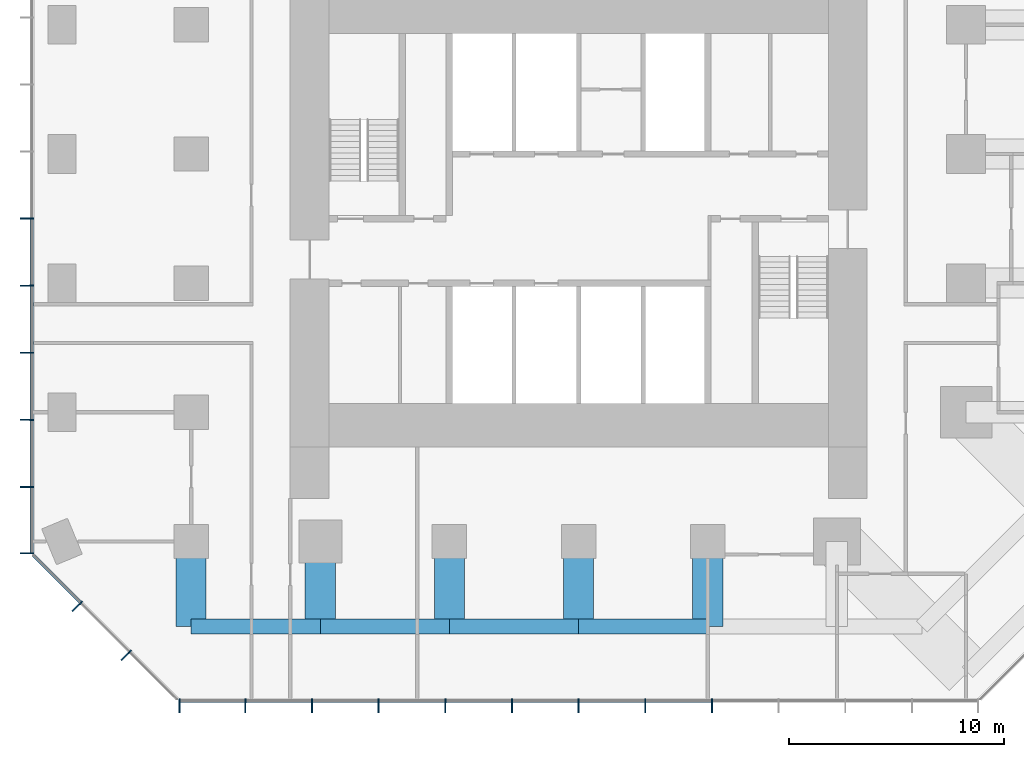
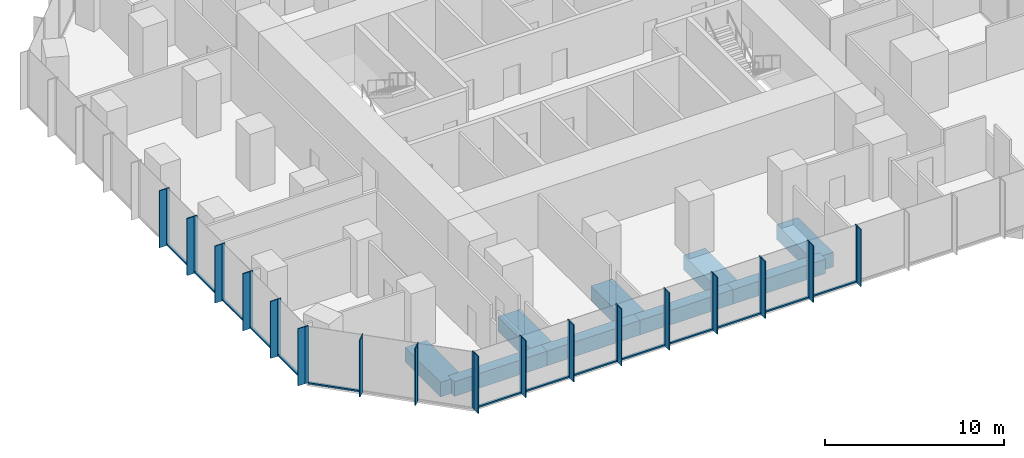
# One storey, part 2 of 11: 48 members, 9 beams, 3 elements without a shape of their own.
"""IFC4 building model written with IfcOpenShell, lengths in metres."""

from ifc_helpers import new_model, si_unit, direction, frame, origin, origin_2d, place, context, subcontext, project, spatial, rectangle, extrude, material, layer, layer_set, material_profile, profile_set, type_object, element, aggregate, save


model = new_model("IFC4")

# Units and contexts
model_context = context("Model", 3, precision=1e-05, world=origin(), true_north=direction((0.0, 1.0)))
body_context = subcontext(model_context, "Body", "Model", "MODEL_VIEW")
ifc_project = project(units=[si_unit("LENGTHUNIT", "METRE"), si_unit("AREAUNIT", "SQUARE_METRE"), si_unit("VOLUMEUNIT", "CUBIC_METRE"), si_unit("PLANEANGLEUNIT", "RADIAN"), si_unit("MASSUNIT", "GRAM", prefix="KILO")], contexts=[model_context])

# Site, building, storey
site_placement = place(None, origin())
site = spatial("IfcSite", under=ifc_project, at=site_placement, CompositionType="ELEMENT")
building_placement = place(site_placement, origin())
building = spatial("IfcBuilding", under=site, at=building_placement, Name="Highveld Stack Headquarters", CompositionType="ELEMENT")
storey_placement = place(building_placement, frame((0.0, 0.0, 152.300048828125)))
storey = spatial("IfcBuildingStorey", under=building, at=storey_placement, Name="L37", CompositionType="ELEMENT", Elevation=152.300048828125)

# Beams
ifc_material_1 = material(Name="Concrete C60/75", Category="concrete")
ifc_material_profile_1 = material_profile(ifc_material_1, rectangle(XDim=1.39990234375, YDim=1.0, at=origin_2d()), Name="RC 1400x1000")
ifc_profile_set_1 = profile_set([ifc_material_profile_1], Name="Concrete C60/75")
beam_type_1 = type_object("IfcBeamType", Name="CANTILEVER RIB RC 1400x1000", PredefinedType="USERDEFINED", material=ifc_profile_set_1)
for number, where, z_axis, x_axis, name in (
    (1, (-12.0, -12.0, -0.75), (0.0, -1.0, 0.0), (1.0, 0.0, 0.0), "Cantilever rib 4/C L37"),
    (2, (-6.0, -12.0, -0.75), (0.0, -1.0, 0.0), (1.0, 0.0, 0.0), "Cantilever rib 5/C L37"),
    (3, (0.0, -12.0, -0.75), (0.0, -1.0, 0.0), (1.0, 0.0, 0.0), "Cantilever rib 6/C L37"),
    (4, (6.0, -12.0, -0.75), (0.0, -1.0, 0.0), (1.0, 0.0, 0.0), "Cantilever rib 7/C L37"),
    (5, (12.0, -12.0, -0.75), (0.0, -1.0, 0.0), (1.0, 0.0, 0.0), "Cantilever rib 8/C L37"),
):
    element("IfcBeam", number, at=place(storey_placement, frame(where, z_axis=z_axis, x_axis=x_axis)), inside=storey, type_object=beam_type_1, Name=name, ObjectType="CANTILEVER RIB", PredefinedType="USERDEFINED", context=body_context, shape_type="SweptSolid", body=[
        extrude(rectangle(XDim=1.39990234375, YDim=1.0, at=origin_2d()), origin(), (0.0, 0.0, 1.0), 3.949951171875),
    ])

# Curtain wall, members
ifc_material_2 = material(Name="Aluminium bronze anodised", Category="aluminium")
ifc_layer_1 = layer(ifc_material_2, 0.199951171875)
ifc_layer_set_1 = layer_set([ifc_layer_1], Name="Aluminium bronze anodised")
curtain_wall_type_1 = type_object("IfcCurtainWallType", Name="CW1 TOWER UNITISED CURTAIN WALL", PredefinedType="NOTDEFINED", material=ifc_layer_set_1)
curtain_wall_1_placement = place(storey_placement, origin())
curtain_wall_1 = element("IfcCurtainWall", 6, at=curtain_wall_1_placement, inside=storey, type_object=curtain_wall_type_1, Name="Curtain wall CW1 L37 S", PredefinedType="NOTDEFINED")
ifc_material_3 = material(Name="Aluminium bronze anodised", Category="aluminium")
ifc_material_profile_2 = material_profile(ifc_material_3, rectangle(XDim=0.449951171875, YDim=0.06005859375, at=origin_2d()), Name="FIN 450x60")
ifc_profile_set_2 = profile_set([ifc_material_profile_2], Name="Aluminium bronze anodised")
member_type_1 = type_object("IfcMemberType", Name="CW1 BRONZE FIN 450x60", PredefinedType="USERDEFINED", material=ifc_profile_set_2)
member_1_placement = place(storey_placement, frame((-12.54736328125, -19.72509765625, 0.0), z_axis=(0.0, 0.0, 1.0), x_axis=(0.0, 1.0, 0.0)))
member_1 = element("IfcMember", 7, at=member_1_placement, type_object=member_type_1, Name="CW1 fin L37 1", ObjectType="FIN", PredefinedType="USERDEFINED", context=body_context, shape_type="SweptSolid", body=[
    extrude(rectangle(XDim=0.449951171875, YDim=0.06005859375, at=origin_2d()), origin(), (0.0, 0.0, 1.0), 3.89990234375),
])
member_2_placement = place(storey_placement, frame((-9.483154296875, -19.72509765625, 0.0), z_axis=(0.0, 0.0, 1.0), x_axis=(0.0, 1.0, 0.0)))
member_2 = element("IfcMember", 8, at=member_2_placement, type_object=member_type_1, Name="CW1 fin L37 2", ObjectType="FIN", PredefinedType="USERDEFINED", context=body_context, shape_type="SweptSolid", body=[
    extrude(rectangle(XDim=0.449951171875, YDim=0.06005859375, at=origin_2d()), origin(), (0.0, 0.0, 1.0), 3.89990234375),
])
member_3_placement = place(storey_placement, frame((-6.38671875, -19.72509765625, 0.0), z_axis=(0.0, 0.0, 1.0), x_axis=(0.0, 1.0, 0.0)))
member_3 = element("IfcMember", 9, at=member_3_placement, type_object=member_type_1, Name="CW1 fin L37 3", ObjectType="FIN", PredefinedType="USERDEFINED", context=body_context, shape_type="SweptSolid", body=[
    extrude(rectangle(XDim=0.449951171875, YDim=0.06005859375, at=origin_2d()), origin(), (0.0, 0.0, 1.0), 3.89990234375),
])
member_4_placement = place(storey_placement, frame((-3.2900390625, -19.72509765625, 0.0), z_axis=(0.0, 0.0, 1.0), x_axis=(0.0, 1.0, 0.0)))
member_4 = element("IfcMember", 10, at=member_4_placement, type_object=member_type_1, Name="CW1 fin L37 4", ObjectType="FIN", PredefinedType="USERDEFINED", context=body_context, shape_type="SweptSolid", body=[
    extrude(rectangle(XDim=0.449951171875, YDim=0.06005859375, at=origin_2d()), origin(), (0.0, 0.0, 1.0), 3.89990234375),
])
member_5_placement = place(storey_placement, frame((-0.193359375, -19.72509765625, 0.0), z_axis=(0.0, 0.0, 1.0), x_axis=(0.0, 1.0, 0.0)))
member_5 = element("IfcMember", 11, at=member_5_placement, type_object=member_type_1, Name="CW1 fin L37 5", ObjectType="FIN", PredefinedType="USERDEFINED", context=body_context, shape_type="SweptSolid", body=[
    extrude(rectangle(XDim=0.449951171875, YDim=0.06005859375, at=origin_2d()), origin(), (0.0, 0.0, 1.0), 3.89990234375),
])
member_6_placement = place(storey_placement, frame((2.9033203125, -19.72509765625, 0.0), z_axis=(0.0, 0.0, 1.0), x_axis=(0.0, 1.0, 0.0)))
member_6 = element("IfcMember", 12, at=member_6_placement, type_object=member_type_1, Name="CW1 fin L37 6", ObjectType="FIN", PredefinedType="USERDEFINED", context=body_context, shape_type="SweptSolid", body=[
    extrude(rectangle(XDim=0.449951171875, YDim=0.06005859375, at=origin_2d()), origin(), (0.0, 0.0, 1.0), 3.89990234375),
])
member_7_placement = place(storey_placement, frame((6.0, -19.72509765625, 0.0), z_axis=(0.0, 0.0, 1.0), x_axis=(0.0, 1.0, 0.0)))
member_7 = element("IfcMember", 13, at=member_7_placement, type_object=member_type_1, Name="CW1 fin L37 7", ObjectType="FIN", PredefinedType="USERDEFINED", context=body_context, shape_type="SweptSolid", body=[
    extrude(rectangle(XDim=0.449951171875, YDim=0.06005859375, at=origin_2d()), origin(), (0.0, 0.0, 1.0), 3.89990234375),
])
member_8_placement = place(storey_placement, frame((9.0966796875, -19.72509765625, 0.0), z_axis=(0.0, 0.0, 1.0), x_axis=(0.0, 1.0, 0.0)))
member_8 = element("IfcMember", 14, at=member_8_placement, type_object=member_type_1, Name="CW1 fin L37 8", ObjectType="FIN", PredefinedType="USERDEFINED", context=body_context, shape_type="SweptSolid", body=[
    extrude(rectangle(XDim=0.449951171875, YDim=0.06005859375, at=origin_2d()), origin(), (0.0, 0.0, 1.0), 3.89990234375),
])
member_9_placement = place(storey_placement, frame((12.193359375, -19.72509765625, 0.0), z_axis=(0.0, 0.0, 1.0), x_axis=(0.0, 1.0, 0.0)))
member_9 = element("IfcMember", 15, at=member_9_placement, type_object=member_type_1, Name="CW1 fin L37 9", ObjectType="FIN", PredefinedType="USERDEFINED", context=body_context, shape_type="SweptSolid", body=[
    extrude(rectangle(XDim=0.449951171875, YDim=0.06005859375, at=origin_2d()), origin(), (0.0, 0.0, 1.0), 3.89990234375),
])

curtain_wall_2_placement = place(storey_placement, origin())
curtain_wall_2 = element("IfcCurtainWall", 16, at=curtain_wall_2_placement, inside=storey, type_object=curtain_wall_type_1, Name="Curtain wall CW1 L37 W", PredefinedType="NOTDEFINED")
member_10_placement = place(storey_placement, frame((-19.72509765625, 3.0, 0.0), z_axis=(0.0, 0.0, 1.0), x_axis=(1.0, 0.0, 0.0)))
member_10 = element("IfcMember", 17, at=member_10_placement, type_object=member_type_1, Name="CW1 fin L37 6", ObjectType="FIN", PredefinedType="USERDEFINED", context=body_context, shape_type="SweptSolid", body=[
    extrude(rectangle(XDim=0.449951171875, YDim=0.06005859375, at=origin_2d()), origin(), (0.0, 0.0, 1.0), 3.89990234375),
])
member_11_placement = place(storey_placement, frame((-19.72509765625, -0.115966796875, 0.0), z_axis=(0.0, 0.0, 1.0), x_axis=(1.0, 0.0, 0.0)))
member_11 = element("IfcMember", 18, at=member_11_placement, type_object=member_type_1, Name="CW1 fin L37 7", ObjectType="FIN", PredefinedType="USERDEFINED", context=body_context, shape_type="SweptSolid", body=[
    extrude(rectangle(XDim=0.449951171875, YDim=0.06005859375, at=origin_2d()), origin(), (0.0, 0.0, 1.0), 3.89990234375),
])
member_12_placement = place(storey_placement, frame((-19.72509765625, -3.23193359375, 0.0), z_axis=(0.0, 0.0, 1.0), x_axis=(1.0, 0.0, 0.0)))
member_12 = element("IfcMember", 19, at=member_12_placement, type_object=member_type_1, Name="CW1 fin L37 8", ObjectType="FIN", PredefinedType="USERDEFINED", context=body_context, shape_type="SweptSolid", body=[
    extrude(rectangle(XDim=0.449951171875, YDim=0.06005859375, at=origin_2d()), origin(), (0.0, 0.0, 1.0), 3.89990234375),
])
member_13_placement = place(storey_placement, frame((-19.72509765625, -6.347900390625, 0.0), z_axis=(0.0, 0.0, 1.0), x_axis=(1.0, 0.0, 0.0)))
member_13 = element("IfcMember", 20, at=member_13_placement, type_object=member_type_1, Name="CW1 fin L37 9", ObjectType="FIN", PredefinedType="USERDEFINED", context=body_context, shape_type="SweptSolid", body=[
    extrude(rectangle(XDim=0.449951171875, YDim=0.06005859375, at=origin_2d()), origin(), (0.0, 0.0, 1.0), 3.89990234375),
])
member_14_placement = place(storey_placement, frame((-19.72509765625, -9.4638671875, 0.0), z_axis=(0.0, 0.0, 1.0), x_axis=(1.0, 0.0, 0.0)))
member_14 = element("IfcMember", 21, at=member_14_placement, type_object=member_type_1, Name="CW1 fin L37 10", ObjectType="FIN", PredefinedType="USERDEFINED", context=body_context, shape_type="SweptSolid", body=[
    extrude(rectangle(XDim=0.449951171875, YDim=0.06005859375, at=origin_2d()), origin(), (0.0, 0.0, 1.0), 3.89990234375),
])
member_15_placement = place(storey_placement, frame((-19.72509765625, -12.54736328125, 0.0), z_axis=(0.0, 0.0, 1.0), x_axis=(1.0, 0.0, 0.0)))
member_15 = element("IfcMember", 22, at=member_15_placement, type_object=member_type_1, Name="CW1 fin L37 11", ObjectType="FIN", PredefinedType="USERDEFINED", context=body_context, shape_type="SweptSolid", body=[
    extrude(rectangle(XDim=0.449951171875, YDim=0.06005859375, at=origin_2d()), origin(), (0.0, 0.0, 1.0), 3.89990234375),
])

# Member
ifc_material_4 = material(Name="Aluminium bronze anodised", Category="aluminium")
ifc_material_profile_3 = material_profile(ifc_material_4, rectangle(XDim=0.199951171875, YDim=0.06494140625, at=origin_2d()), Name="CW1 MULLION 65x200")
ifc_profile_set_3 = profile_set([ifc_material_profile_3], Name="Aluminium bronze anodised")
member_type_2 = type_object("IfcMemberType", Name="CW1 MULLION 65x200", PredefinedType="MULLION", material=ifc_profile_set_3)
member_16_placement = place(storey_placement, frame((-12.54736328125, -19.39990234375, 0.0), z_axis=(0.0, 0.0, 1.0), x_axis=(0.0, 1.0, 0.0)))
member_16 = element("IfcMember", 23, at=member_16_placement, type_object=member_type_2, Name="CW1 mullion L37 1", PredefinedType="MULLION", context=body_context, shape_type="SweptSolid", body=[
    extrude(rectangle(XDim=0.199951171875, YDim=0.06494140625, at=origin_2d()), origin(), (0.0, 0.0, 1.0), 3.89990234375),
])

member_17_placement = place(storey_placement, frame((-9.483154296875, -19.39990234375, 0.0), z_axis=(0.0, 0.0, 1.0), x_axis=(0.0, 1.0, 0.0)))
member_17 = element("IfcMember", 24, at=member_17_placement, type_object=member_type_2, Name="CW1 mullion L37 2", PredefinedType="MULLION", context=body_context, shape_type="SweptSolid", body=[
    extrude(rectangle(XDim=0.199951171875, YDim=0.06494140625, at=origin_2d()), origin(), (0.0, 0.0, 1.0), 3.89990234375),
])

member_18_placement = place(storey_placement, frame((-6.38671875, -19.39990234375, 0.0), z_axis=(0.0, 0.0, 1.0), x_axis=(0.0, 1.0, 0.0)))
member_18 = element("IfcMember", 25, at=member_18_placement, type_object=member_type_2, Name="CW1 mullion L37 3", PredefinedType="MULLION", context=body_context, shape_type="SweptSolid", body=[
    extrude(rectangle(XDim=0.199951171875, YDim=0.06494140625, at=origin_2d()), origin(), (0.0, 0.0, 1.0), 3.89990234375),
])

member_19_placement = place(storey_placement, frame((-3.2900390625, -19.39990234375, 0.0), z_axis=(0.0, 0.0, 1.0), x_axis=(0.0, 1.0, 0.0)))
member_19 = element("IfcMember", 26, at=member_19_placement, type_object=member_type_2, Name="CW1 mullion L37 4", PredefinedType="MULLION", context=body_context, shape_type="SweptSolid", body=[
    extrude(rectangle(XDim=0.199951171875, YDim=0.06494140625, at=origin_2d()), origin(), (0.0, 0.0, 1.0), 3.89990234375),
])

member_20_placement = place(storey_placement, frame((-0.193359375, -19.39990234375, 0.0), z_axis=(0.0, 0.0, 1.0), x_axis=(0.0, 1.0, 0.0)))
member_20 = element("IfcMember", 27, at=member_20_placement, type_object=member_type_2, Name="CW1 mullion L37 5", PredefinedType="MULLION", context=body_context, shape_type="SweptSolid", body=[
    extrude(rectangle(XDim=0.199951171875, YDim=0.06494140625, at=origin_2d()), origin(), (0.0, 0.0, 1.0), 3.89990234375),
])

member_21_placement = place(storey_placement, frame((2.9033203125, -19.39990234375, 0.0), z_axis=(0.0, 0.0, 1.0), x_axis=(0.0, 1.0, 0.0)))
member_21 = element("IfcMember", 28, at=member_21_placement, type_object=member_type_2, Name="CW1 mullion L37 6", PredefinedType="MULLION", context=body_context, shape_type="SweptSolid", body=[
    extrude(rectangle(XDim=0.199951171875, YDim=0.06494140625, at=origin_2d()), origin(), (0.0, 0.0, 1.0), 3.89990234375),
])

member_22_placement = place(storey_placement, frame((6.0, -19.39990234375, 0.0), z_axis=(0.0, 0.0, 1.0), x_axis=(0.0, 1.0, 0.0)))
member_22 = element("IfcMember", 29, at=member_22_placement, type_object=member_type_2, Name="CW1 mullion L37 7", PredefinedType="MULLION", context=body_context, shape_type="SweptSolid", body=[
    extrude(rectangle(XDim=0.199951171875, YDim=0.06494140625, at=origin_2d()), origin(), (0.0, 0.0, 1.0), 3.89990234375),
])

member_23_placement = place(storey_placement, frame((9.0966796875, -19.39990234375, 0.0), z_axis=(0.0, 0.0, 1.0), x_axis=(0.0, 1.0, 0.0)))
member_23 = element("IfcMember", 30, at=member_23_placement, type_object=member_type_2, Name="CW1 mullion L37 8", PredefinedType="MULLION", context=body_context, shape_type="SweptSolid", body=[
    extrude(rectangle(XDim=0.199951171875, YDim=0.06494140625, at=origin_2d()), origin(), (0.0, 0.0, 1.0), 3.89990234375),
])

member_24_placement = place(storey_placement, frame((12.193359375, -19.39990234375, 0.0), z_axis=(0.0, 0.0, 1.0), x_axis=(0.0, 1.0, 0.0)))
member_24 = element("IfcMember", 31, at=member_24_placement, type_object=member_type_2, Name="CW1 mullion L37 9", PredefinedType="MULLION", context=body_context, shape_type="SweptSolid", body=[
    extrude(rectangle(XDim=0.199951171875, YDim=0.06494140625, at=origin_2d()), origin(), (0.0, 0.0, 1.0), 3.89990234375),
])

member_25_placement = place(storey_placement, frame((-19.39990234375, 3.0, 0.0), z_axis=(0.0, 0.0, 1.0), x_axis=(1.0, 0.0, 0.0)))
member_25 = element("IfcMember", 32, at=member_25_placement, type_object=member_type_2, Name="CW1 mullion L37 6", PredefinedType="MULLION", context=body_context, shape_type="SweptSolid", body=[
    extrude(rectangle(XDim=0.199951171875, YDim=0.06494140625, at=origin_2d()), origin(), (0.0, 0.0, 1.0), 3.89990234375),
])

member_26_placement = place(storey_placement, frame((-19.39990234375, -0.115966796875, 0.0), z_axis=(0.0, 0.0, 1.0), x_axis=(1.0, 0.0, 0.0)))
member_26 = element("IfcMember", 33, at=member_26_placement, type_object=member_type_2, Name="CW1 mullion L37 7", PredefinedType="MULLION", context=body_context, shape_type="SweptSolid", body=[
    extrude(rectangle(XDim=0.199951171875, YDim=0.06494140625, at=origin_2d()), origin(), (0.0, 0.0, 1.0), 3.89990234375),
])

member_27_placement = place(storey_placement, frame((-19.39990234375, -3.23193359375, 0.0), z_axis=(0.0, 0.0, 1.0), x_axis=(1.0, 0.0, 0.0)))
member_27 = element("IfcMember", 34, at=member_27_placement, type_object=member_type_2, Name="CW1 mullion L37 8", PredefinedType="MULLION", context=body_context, shape_type="SweptSolid", body=[
    extrude(rectangle(XDim=0.199951171875, YDim=0.06494140625, at=origin_2d()), origin(), (0.0, 0.0, 1.0), 3.89990234375),
])

member_28_placement = place(storey_placement, frame((-19.39990234375, -6.347900390625, 0.0), z_axis=(0.0, 0.0, 1.0), x_axis=(1.0, 0.0, 0.0)))
member_28 = element("IfcMember", 35, at=member_28_placement, type_object=member_type_2, Name="CW1 mullion L37 9", PredefinedType="MULLION", context=body_context, shape_type="SweptSolid", body=[
    extrude(rectangle(XDim=0.199951171875, YDim=0.06494140625, at=origin_2d()), origin(), (0.0, 0.0, 1.0), 3.89990234375),
])

member_29_placement = place(storey_placement, frame((-19.39990234375, -9.4638671875, 0.0), z_axis=(0.0, 0.0, 1.0), x_axis=(1.0, 0.0, 0.0)))
member_29 = element("IfcMember", 36, at=member_29_placement, type_object=member_type_2, Name="CW1 mullion L37 10", PredefinedType="MULLION", context=body_context, shape_type="SweptSolid", body=[
    extrude(rectangle(XDim=0.199951171875, YDim=0.06494140625, at=origin_2d()), origin(), (0.0, 0.0, 1.0), 3.89990234375),
])

member_30_placement = place(storey_placement, frame((-19.39990234375, -12.54736328125, 0.0), z_axis=(0.0, 0.0, 1.0), x_axis=(1.0, 0.0, 0.0)))
member_30 = element("IfcMember", 37, at=member_30_placement, type_object=member_type_2, Name="CW1 mullion L37 11", PredefinedType="MULLION", context=body_context, shape_type="SweptSolid", body=[
    extrude(rectangle(XDim=0.199951171875, YDim=0.06494140625, at=origin_2d()), origin(), (0.0, 0.0, 1.0), 3.89990234375),
])

ifc_material_5 = material(Name="Aluminium bronze anodised", Category="aluminium")
ifc_material_profile_4 = material_profile(ifc_material_5, rectangle(XDim=0.14990234375, YDim=0.10009765625, at=origin_2d()), Name="CW1 TRANSOM 150x100")
ifc_profile_set_4 = profile_set([ifc_material_profile_4], Name="Aluminium bronze anodised")
member_type_3 = type_object("IfcMemberType", Name="CW1 STACK TRANSOM 150x100", PredefinedType="USERDEFINED", material=ifc_profile_set_4)
member_31_placement = place(storey_placement, frame((-12.514892578125, -19.39990234375, 0.050048828125), z_axis=(1.0, 0.0, 0.0), x_axis=(0.0, 1.0, 0.0)))
member_31 = element("IfcMember", 38, at=member_31_placement, type_object=member_type_3, Name="CW1 transom L37 1.1", ObjectType="TRANSOM", PredefinedType="USERDEFINED", context=body_context, shape_type="SweptSolid", body=[
    extrude(rectangle(XDim=0.14990234375, YDim=0.10009765625, at=origin_2d()), origin(), (0.0, 0.0, 1.0), 2.9990234375),
])

member_32_placement = place(storey_placement, frame((-9.45068359375, -19.39990234375, 0.050048828125), z_axis=(1.0, 0.0, 0.0), x_axis=(0.0, 1.0, 0.0)))
member_32 = element("IfcMember", 39, at=member_32_placement, type_object=member_type_3, Name="CW1 transom L37 2.1", ObjectType="TRANSOM", PredefinedType="USERDEFINED", context=body_context, shape_type="SweptSolid", body=[
    extrude(rectangle(XDim=0.14990234375, YDim=0.10009765625, at=origin_2d()), origin(), (0.0, 0.0, 1.0), 3.031494140625),
])

member_33_placement = place(storey_placement, frame((-6.35400390625, -19.39990234375, 0.050048828125), z_axis=(1.0, 0.0, 0.0), x_axis=(0.0, 1.0, 0.0)))
member_33 = element("IfcMember", 40, at=member_33_placement, type_object=member_type_3, Name="CW1 transom L37 3.1", ObjectType="TRANSOM", PredefinedType="USERDEFINED", context=body_context, shape_type="SweptSolid", body=[
    extrude(rectangle(XDim=0.14990234375, YDim=0.10009765625, at=origin_2d()), origin(), (0.0, 0.0, 1.0), 3.031494140625),
])

member_34_placement = place(storey_placement, frame((-3.257568359375, -19.39990234375, 0.050048828125), z_axis=(1.0, 0.0, 0.0), x_axis=(0.0, 1.0, 0.0)))
member_34 = element("IfcMember", 41, at=member_34_placement, type_object=member_type_3, Name="CW1 transom L37 4.1", ObjectType="TRANSOM", PredefinedType="USERDEFINED", context=body_context, shape_type="SweptSolid", body=[
    extrude(rectangle(XDim=0.14990234375, YDim=0.10009765625, at=origin_2d()), origin(), (0.0, 0.0, 1.0), 3.03173828125),
])

member_35_placement = place(storey_placement, frame((-0.160888671875, -19.39990234375, 0.050048828125), z_axis=(1.0, 0.0, 0.0), x_axis=(0.0, 1.0, 0.0)))
member_35 = element("IfcMember", 42, at=member_35_placement, type_object=member_type_3, Name="CW1 transom L37 5.1", ObjectType="TRANSOM", PredefinedType="USERDEFINED", context=body_context, shape_type="SweptSolid", body=[
    extrude(rectangle(XDim=0.14990234375, YDim=0.10009765625, at=origin_2d()), origin(), (0.0, 0.0, 1.0), 3.03173828125),
])

member_36_placement = place(storey_placement, frame((2.935791015625, -19.39990234375, 0.050048828125), z_axis=(1.0, 0.0, 0.0), x_axis=(0.0, 1.0, 0.0)))
member_36 = element("IfcMember", 43, at=member_36_placement, type_object=member_type_3, Name="CW1 transom L37 6.1", ObjectType="TRANSOM", PredefinedType="USERDEFINED", context=body_context, shape_type="SweptSolid", body=[
    extrude(rectangle(XDim=0.14990234375, YDim=0.10009765625, at=origin_2d()), origin(), (0.0, 0.0, 1.0), 3.03173828125),
])

member_37_placement = place(storey_placement, frame((6.032470703125, -19.39990234375, 0.050048828125), z_axis=(1.0, 0.0, 0.0), x_axis=(0.0, 1.0, 0.0)))
member_37 = element("IfcMember", 44, at=member_37_placement, type_object=member_type_3, Name="CW1 transom L37 7.1", ObjectType="TRANSOM", PredefinedType="USERDEFINED", context=body_context, shape_type="SweptSolid", body=[
    extrude(rectangle(XDim=0.14990234375, YDim=0.10009765625, at=origin_2d()), origin(), (0.0, 0.0, 1.0), 3.03173828125),
])

member_38_placement = place(storey_placement, frame((9.129150390625, -19.39990234375, 0.050048828125), z_axis=(1.0, 0.0, 0.0), x_axis=(0.0, 1.0, 0.0)))
member_38 = element("IfcMember", 45, at=member_38_placement, type_object=member_type_3, Name="CW1 transom L37 8.1", ObjectType="TRANSOM", PredefinedType="USERDEFINED", context=body_context, shape_type="SweptSolid", body=[
    extrude(rectangle(XDim=0.14990234375, YDim=0.10009765625, at=origin_2d()), origin(), (0.0, 0.0, 1.0), 3.03173828125),
])

aggregate(curtain_wall_1, [member_16, member_1, member_17, member_2, member_18, member_3, member_19, member_4, member_20, member_5, member_21, member_6, member_22, member_7, member_23, member_8, member_24, member_9, member_31, member_32, member_33, member_34, member_35, member_36, member_37, member_38])

member_39_placement = place(storey_placement, frame((-19.39990234375, 2.967529296875, 0.050048828125), z_axis=(0.0, -1.0, 0.0), x_axis=(1.0, 0.0, 0.0)))
member_39 = element("IfcMember", 46, at=member_39_placement, type_object=member_type_3, Name="CW1 transom L37 6.1", ObjectType="TRANSOM", PredefinedType="USERDEFINED", context=body_context, shape_type="SweptSolid", body=[
    extrude(rectangle(XDim=0.14990234375, YDim=0.10009765625, at=origin_2d()), origin(), (0.0, 0.0, 1.0), 3.051025390625),
])

member_40_placement = place(storey_placement, frame((-19.39990234375, -0.1484375, 0.050048828125), z_axis=(0.0, -1.0, 0.0), x_axis=(1.0, 0.0, 0.0)))
member_40 = element("IfcMember", 47, at=member_40_placement, type_object=member_type_3, Name="CW1 transom L37 7.1", ObjectType="TRANSOM", PredefinedType="USERDEFINED", context=body_context, shape_type="SweptSolid", body=[
    extrude(rectangle(XDim=0.14990234375, YDim=0.10009765625, at=origin_2d()), origin(), (0.0, 0.0, 1.0), 3.051025390625),
])

member_41_placement = place(storey_placement, frame((-19.39990234375, -3.264404296875, 0.050048828125), z_axis=(0.0, -1.0, 0.0), x_axis=(1.0, 0.0, 0.0)))
member_41 = element("IfcMember", 48, at=member_41_placement, type_object=member_type_3, Name="CW1 transom L37 8.1", ObjectType="TRANSOM", PredefinedType="USERDEFINED", context=body_context, shape_type="SweptSolid", body=[
    extrude(rectangle(XDim=0.14990234375, YDim=0.10009765625, at=origin_2d()), origin(), (0.0, 0.0, 1.0), 3.051025390625),
])

member_42_placement = place(storey_placement, frame((-19.39990234375, -6.38037109375, 0.050048828125), z_axis=(0.0, -1.0, 0.0), x_axis=(1.0, 0.0, 0.0)))
member_42 = element("IfcMember", 49, at=member_42_placement, type_object=member_type_3, Name="CW1 transom L37 9.1", ObjectType="TRANSOM", PredefinedType="USERDEFINED", context=body_context, shape_type="SweptSolid", body=[
    extrude(rectangle(XDim=0.14990234375, YDim=0.10009765625, at=origin_2d()), origin(), (0.0, 0.0, 1.0), 3.051025390625),
])

member_43_placement = place(storey_placement, frame((-19.39990234375, -9.496337890625, 0.050048828125), z_axis=(0.0, -1.0, 0.0), x_axis=(1.0, 0.0, 0.0)))
member_43 = element("IfcMember", 50, at=member_43_placement, type_object=member_type_3, Name="CW1 transom L37 10.1", ObjectType="TRANSOM", PredefinedType="USERDEFINED", context=body_context, shape_type="SweptSolid", body=[
    extrude(rectangle(XDim=0.14990234375, YDim=0.10009765625, at=origin_2d()), origin(), (0.0, 0.0, 1.0), 3.0185546875),
])

aggregate(curtain_wall_2, [member_25, member_10, member_26, member_11, member_27, member_12, member_28, member_13, member_29, member_14, member_30, member_15, member_39, member_40, member_41, member_42, member_43])

# Curtain wall, members
ifc_material_6 = material(Name="Aluminium bronze anodised", Category="aluminium")
ifc_layer_2 = layer(ifc_material_6, 0.199951171875)
ifc_layer_set_2 = layer_set([ifc_layer_2], Name="Aluminium bronze anodised")
curtain_wall_type_2 = type_object("IfcCurtainWallType", Name="CW2 TOWER CHAMFER UNITISED CURTAIN WALL", PredefinedType="NOTDEFINED", material=ifc_layer_set_2)
curtain_wall_3_placement = place(storey_placement, origin())
curtain_wall_3 = element("IfcCurtainWall", 51, at=curtain_wall_3_placement, inside=storey, type_object=curtain_wall_type_2, Name="Curtain wall CW2 L37 SW", PredefinedType="NOTDEFINED")
ifc_material_7 = material(Name="Aluminium bronze anodised", Category="aluminium")
ifc_material_profile_5 = material_profile(ifc_material_7, rectangle(XDim=0.449951171875, YDim=0.06005859375, at=origin_2d()), Name="FIN 450x60")
ifc_profile_set_5 = profile_set([ifc_material_profile_5], Name="Aluminium bronze anodised")
member_type_4 = type_object("IfcMemberType", Name="CW2 BRONZE FIN 450x60", PredefinedType="USERDEFINED", material=ifc_profile_set_5)
member_44_placement = place(storey_placement, frame((-17.3564453125, -15.0830078125, 0.0), z_axis=(0.0, 0.0, 1.0), x_axis=(0.707106781187, 0.707106781187, 0.0)))
member_44 = element("IfcMember", 52, at=member_44_placement, type_object=member_type_4, Name="CW2 fin L37 1", ObjectType="FIN", PredefinedType="USERDEFINED", context=body_context, shape_type="SweptSolid", body=[
    extrude(rectangle(XDim=0.449951171875, YDim=0.06005859375, at=origin_2d()), origin(), (0.0, 0.0, 1.0), 3.89990234375),
])
member_45_placement = place(storey_placement, frame((-15.0830078125, -17.3564453125, 0.0), z_axis=(0.0, 0.0, 1.0), x_axis=(0.707106781187, 0.707106781187, 0.0)))
member_45 = element("IfcMember", 53, at=member_45_placement, type_object=member_type_4, Name="CW2 fin L37 2", ObjectType="FIN", PredefinedType="USERDEFINED", context=body_context, shape_type="SweptSolid", body=[
    extrude(rectangle(XDim=0.449951171875, YDim=0.06005859375, at=origin_2d()), origin(), (0.0, 0.0, 1.0), 3.89990234375),
])
ifc_material_8 = material(Name="Aluminium bronze anodised", Category="aluminium")
ifc_material_profile_6 = material_profile(ifc_material_8, rectangle(XDim=0.199951171875, YDim=0.06494140625, at=origin_2d()), Name="CW2 MULLION 65x200")
ifc_profile_set_6 = profile_set([ifc_material_profile_6], Name="Aluminium bronze anodised")
member_type_5 = type_object("IfcMemberType", Name="CW2 MULLION 65x200", PredefinedType="MULLION", material=ifc_profile_set_6)
member_46_placement = place(storey_placement, frame((-17.126708984375, -14.853271484375, 0.0), z_axis=(0.0, 0.0, 1.0), x_axis=(0.707106781187, 0.707106781187, 0.0)))
member_46 = element("IfcMember", 54, at=member_46_placement, type_object=member_type_5, Name="CW2 mullion L37 1", PredefinedType="MULLION", context=body_context, shape_type="SweptSolid", body=[
    extrude(rectangle(XDim=0.199951171875, YDim=0.06494140625, at=origin_2d()), origin(), (0.0, 0.0, 1.0), 3.89990234375),
])
member_47_placement = place(storey_placement, frame((-14.853271484375, -17.126708984375, 0.0), z_axis=(0.0, 0.0, 1.0), x_axis=(0.707106781187, 0.707106781187, 0.0)))
member_47 = element("IfcMember", 55, at=member_47_placement, type_object=member_type_5, Name="CW2 mullion L37 2", PredefinedType="MULLION", context=body_context, shape_type="SweptSolid", body=[
    extrude(rectangle(XDim=0.199951171875, YDim=0.06494140625, at=origin_2d()), origin(), (0.0, 0.0, 1.0), 3.89990234375),
])
ifc_material_9 = material(Name="Aluminium bronze anodised", Category="aluminium")
ifc_material_profile_7 = material_profile(ifc_material_9, rectangle(XDim=0.14990234375, YDim=0.10009765625, at=origin_2d()), Name="CW2 TRANSOM 150x100")
ifc_profile_set_7 = profile_set([ifc_material_profile_7], Name="Aluminium bronze anodised")
member_type_6 = type_object("IfcMemberType", Name="CW2 STACK TRANSOM 150x100", PredefinedType="USERDEFINED", material=ifc_profile_set_7)
member_48_placement = place(storey_placement, frame((-19.329345703125, -12.650634765625, 0.050048828125), z_axis=(0.707106781187, -0.707106781187, 0.0), x_axis=(0.707106781187, 0.707106781187, 0.0)))
member_48 = element("IfcMember", 56, at=member_48_placement, type_object=member_type_6, Name="CW2 transom L37 1.1", ObjectType="TRANSOM", PredefinedType="USERDEFINED", context=body_context, shape_type="SweptSolid", body=[
    extrude(rectangle(XDim=0.14990234375, YDim=0.10009765625, at=origin_2d()), origin(), (0.0, 0.0, 1.0), 3.08251953125),
])
aggregate(curtain_wall_3, [member_46, member_44, member_47, member_45, member_48])

# Beams
ifc_material_10 = material(Name="Concrete C60/75", Category="concrete")
ifc_material_profile_8 = material_profile(ifc_material_10, rectangle(XDim=0.699951171875, YDim=1.0, at=origin_2d()), Name="RC 700x1000")
ifc_profile_set_8 = profile_set([ifc_material_profile_8], Name="Concrete C60/75")
beam_type_2 = type_object("IfcBeamType", Name="RIB TIP BEAM RC 700x1000", PredefinedType="SPANDREL", material=ifc_profile_set_8)
for number, where, z_axis, x_axis, name in (
    (57, (-12.0, -15.949951171875, -0.75), (1.0, 0.0, 0.0), (0.0, 1.0, 0.0), "Rib tip beam 4/C to 5/C L37"),
    (58, (-6.0, -15.949951171875, -0.75), (1.0, 0.0, 0.0), (0.0, 1.0, 0.0), "Rib tip beam 5/C to 6/C L37"),
    (59, (0.0, -15.949951171875, -0.75), (1.0, 0.0, 0.0), (0.0, 1.0, 0.0), "Rib tip beam 6/C to 7/C L37"),
    (60, (6.0, -15.949951171875, -0.75), (1.0, 0.0, 0.0), (0.0, 1.0, 0.0), "Rib tip beam 7/C to 8/C L37"),
):
    element("IfcBeam", number, at=place(storey_placement, frame(where, z_axis=z_axis, x_axis=x_axis)), inside=storey, type_object=beam_type_2, Name=name, PredefinedType="SPANDREL", context=body_context, shape_type="SweptSolid", body=[
        extrude(rectangle(XDim=0.699951171875, YDim=1.0, at=origin_2d()), origin(), (0.0, 0.0, 1.0), 6.0),
    ])

save(model, "model.ifc")
